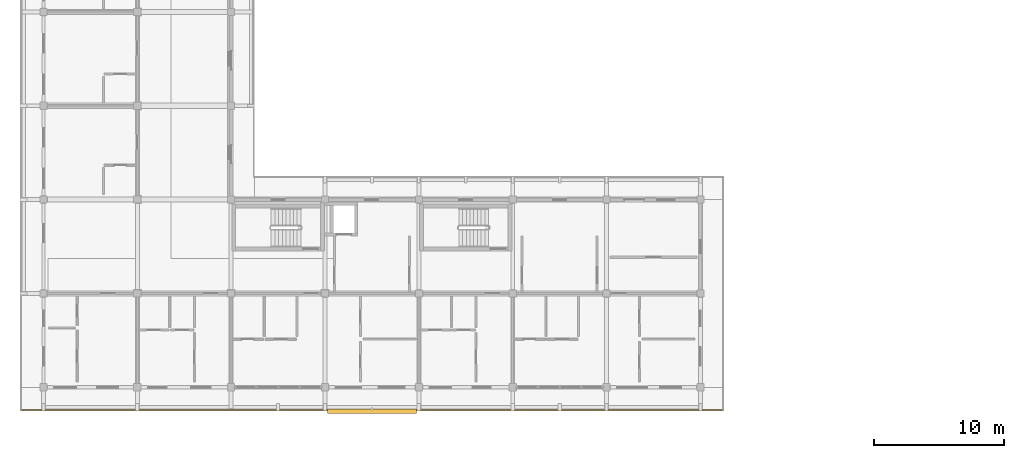
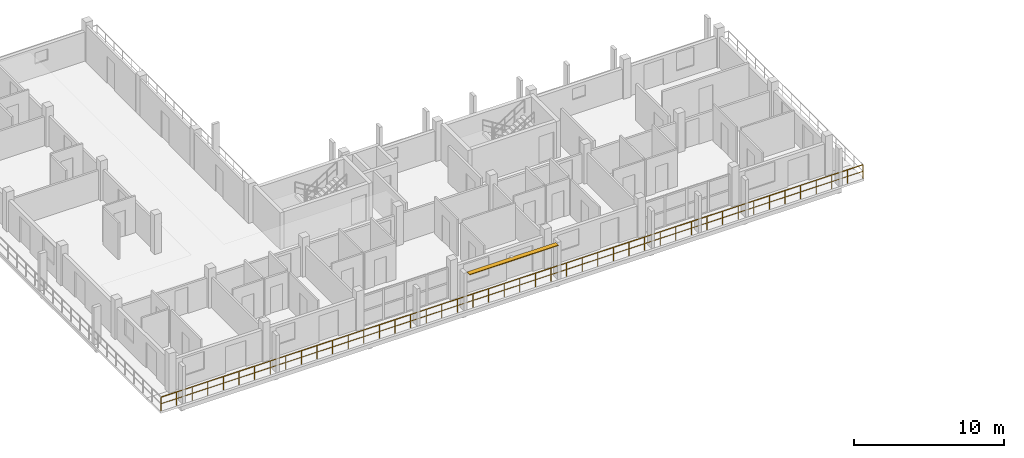
# One storey, part 59 of 73: 1 railing, 1 shading device.
"""IFC4 building model written with IfcOpenShell, lengths in metres."""

import ifcopenshell
import ifcopenshell.guid

model = None  # the IFC model being written
_history = None  # IfcOwnerHistory: only IFC2X3 demands one
_inside = {}  # id of a spatial element -> (the spatial element, [elements in it])
_under = {}  # id of a project, library or spatial element -> (it, [spatial elements below it])
_declared = {}  # id of a project -> (the project, [libraries it declares])
_typed = {}  # id of a type object -> (the type object, [elements of that type])
_made_of = {}  # id of a material, layer set ... -> (it, [elements and type objects made of it])


def new_model(schema):
    """Start an empty IFC model of exactly this schema.

    Asked for "IFC4X3", IfcOpenShell would pick the latest addendum, in which some entities
    have other attributes; the version numbers below select the first issue.
    IFC2X3 requires an IfcOwnerHistory on every rooted entity: one is made here for all.
    """
    global model, _history
    if schema == "IFC4X3":
        model = ifcopenshell.file(schema_version=(4, 3, 0, 0))
    else:
        model = ifcopenshell.file(schema=schema)
    _inside.clear()
    _under.clear()
    _declared.clear()
    _typed.clear()
    _made_of.clear()
    _history = None
    if model.schema == "IFC2X3":
        org = make("IfcOrganization", Name="unknown")
        user = make(
            "IfcPersonAndOrganization",
            ThePerson=make("IfcPerson", FamilyName="unknown"),
            TheOrganization=org,
        )
        app = make(
            "IfcApplication",
            ApplicationDeveloper=org,
            Version="unknown",
            ApplicationFullName="unknown",
            ApplicationIdentifier="unknown",
        )
        _history = make(
            "IfcOwnerHistory",
            OwningUser=user,
            OwningApplication=app,
            ChangeAction="ADDED",
            CreationDate=0,
        )
    return model


def make(cls, **values):
    """One entity of the class cls with the attributes given. An attribute that is None is left unset."""
    return model.create_entity(
        cls, **{name: value for name, value in values.items() if value is not None}
    )


def rooted(cls, **values):
    """An entity with a GlobalId (a new one), such as an element, a storey or a relation."""
    return make(cls, GlobalId=ifcopenshell.guid.new(), OwnerHistory=_history, **values)


def si_unit(unit_type, name, prefix=None):
    """IfcSIUnit, for example si_unit("LENGTHUNIT", "METRE", prefix="MILLI")."""
    return make("IfcSIUnit", UnitType=unit_type, Prefix=prefix, Name=name)


def assignment(units):
    """IfcUnitAssignment: the units of a project."""
    return None if units is None else make("IfcUnitAssignment", Units=units)


def point(xyz):
    """IfcCartesianPoint."""
    return None if xyz is None else make("IfcCartesianPoint", Coordinates=xyz)


def direction(xyz):
    """IfcDirection."""
    return None if xyz is None else make("IfcDirection", DirectionRatios=xyz)


def frame(location, z_axis=None, x_axis=None):
    """IfcAxis2Placement3D, a coordinate frame: its origin and axes. An axis left out is left unset."""
    return make(
        "IfcAxis2Placement3D",
        Location=point(location),
        Axis=direction(z_axis),
        RefDirection=direction(x_axis),
    )


def frame_2d(location, x_axis=None):
    """IfcAxis2Placement2D, a coordinate frame in the plane: its origin and x axis."""
    return make(
        "IfcAxis2Placement2D", Location=point(location), RefDirection=direction(x_axis)
    )


def origin():
    """The frame at (0, 0, 0) with its axes left unset."""
    return frame((0.0, 0.0, 0.0))


def origin_2d():
    """The frame at (0, 0) in the plane with its x axis left unset."""
    return frame_2d((0.0, 0.0))


def place(relative_to, where):
    """IfcLocalPlacement: puts the frame where relative to a parent placement (None: the world)."""
    return make(
        "IfcLocalPlacement", PlacementRelTo=relative_to, RelativePlacement=where
    )


def context(
    kind, dimensions, precision=None, world=None, true_north=None, identifier=None
):
    """IfcGeometricRepresentationContext, for example the 3D "Model" context."""
    return make(
        "IfcGeometricRepresentationContext",
        ContextIdentifier=identifier,
        ContextType=kind,
        CoordinateSpaceDimension=dimensions,
        Precision=precision,
        WorldCoordinateSystem=world,
        TrueNorth=true_north,
    )


def subcontext(parent, identifier, kind, view, scale=None):
    """IfcGeometricRepresentationSubContext, for example "Body" below "Model"."""
    return make(
        "IfcGeometricRepresentationSubContext",
        ContextIdentifier=identifier,
        ContextType=kind,
        ParentContext=parent,
        TargetScale=scale,
        TargetView=view,
    )


def project(units=None, contexts=None):
    """IfcProject with its units and contexts."""
    return rooted(
        "IfcProject",
        Name="project",
        RepresentationContexts=contexts,
        UnitsInContext=assignment(units),
    )


def spatial(cls, under=None, at=None, **own):
    """A site, building, storey or space (cls), placed at a placement, below another one or the project."""
    s = rooted(cls, ObjectPlacement=at, **own)
    if under is not None:
        _under.setdefault(under.id(), (under, []))[1].append(s)
    return s


def profile(cls, at=None, kind="AREA", **sizes):
    """A parametric profile (cls). Its sizes go by their IFC names, for example OverallWidth=200.0."""
    return make(cls, ProfileType=kind, Position=at, **sizes)


def rectangle(**sizes):
    """IfcRectangleProfileDef."""
    return profile("IfcRectangleProfileDef", **sizes)


def extrude(swept, where, along, depth):
    """IfcExtrudedAreaSolid: the profile swept, set in the frame where, extruded along a direction by depth."""
    return make(
        "IfcExtrudedAreaSolid",
        SweptArea=swept,
        Position=where,
        ExtrudedDirection=direction(along),
        Depth=depth,
    )


def shape(context_of_items, identifier, shape_type, items):
    """IfcShapeRepresentation: the items that make up one representation, for example the "Body"."""
    return make(
        "IfcShapeRepresentation",
        ContextOfItems=context_of_items,
        RepresentationIdentifier=identifier,
        RepresentationType=shape_type,
        Items=items,
    )


def material(Name=None, Category=None):
    """IfcMaterial."""
    return make("IfcMaterial", Name=Name, Category=Category)


def made_of(thing, what):
    """Note that an element or type object is made of a material, layer set ...; save() writes the relation."""
    if what is not None:
        _made_of.setdefault(what.id(), (what, []))[1].append(thing)
    return thing


def type_object(cls, material=None, **own):
    """A type object (cls), such as IfcWallType, which elements share."""
    return made_of(rooted(cls, **own), material)


def element(
    cls,
    number,
    at=None,
    inside=None,
    cuts=None,
    type_object=None,
    material=None,
    context=None,
    identifier="Body",
    shape_type=None,
    held_by="IfcProductDefinitionShape",
    body=None,
    shapes=None,
    **own,
):
    """One element of the class cls, such as IfcWall. Its Tag is "e" and its number.

    at: its placement. inside: the storey or other place that contains it. cuts: it is an
    opening in that element (IfcRelVoidsElement). A single representation is given by context,
    identifier, shape_type and body (its items); several are given by shapes. held_by: the class
    of the entity that holds the representations. save() writes the other relations.
    """
    e = rooted(cls, Tag="e%d" % number, ObjectPlacement=at, **own)
    if body is not None:
        shapes = [shape(context, identifier, shape_type, body)]
    if shapes is not None:
        e.Representation = make(held_by, Representations=shapes)
    if inside is not None:
        _inside.setdefault(inside.id(), (inside, []))[1].append(e)
    if cuts is not None:
        rooted(
            "IfcRelVoidsElement", RelatingBuildingElement=cuts, RelatedOpeningElement=e
        )
    if type_object is not None:
        _typed.setdefault(type_object.id(), (type_object, []))[1].append(e)
    return made_of(e, material)


def aggregate(whole, parts):
    """IfcRelAggregates: a whole, such as a stair, and the parts it consists of."""
    return rooted("IfcRelAggregates", RelatingObject=whole, RelatedObjects=parts)


def save(model, path):
    """Write the relations noted so far, then the file.

    IfcRelAggregates (storeys below a building ...), IfcRelContainedInSpatialStructure (elements
    in a storey), IfcRelDefinesByType, IfcRelAssociatesMaterial and IfcRelDeclares: one each for
    every whole, place, type object, material and project.
    """
    for whole, parts in _under.values():
        aggregate(whole, parts)
    for where, things in _inside.values():
        rooted(
            "IfcRelContainedInSpatialStructure",
            RelatedElements=things,
            RelatingStructure=where,
        )
    for kind, things in _typed.values():
        rooted("IfcRelDefinesByType", RelatedObjects=things, RelatingType=kind)
    for what, things in _made_of.values():
        rooted("IfcRelAssociatesMaterial", RelatedObjects=things, RelatingMaterial=what)
    for by, libraries in _declared.values():
        rooted("IfcRelDeclares", RelatingContext=by, RelatedDefinitions=libraries)
    model.write(path)


model = new_model("IFC4")

# Units and contexts
model_context = context("Model", 3, precision=1e-05, world=origin(), true_north=direction((0.0, 1.0)))
body_context = subcontext(model_context, "Body", "Model", "MODEL_VIEW")
ifc_project = project(units=[si_unit("LENGTHUNIT", "METRE"), si_unit("AREAUNIT", "SQUARE_METRE"), si_unit("VOLUMEUNIT", "CUBIC_METRE"), si_unit("PLANEANGLEUNIT", "RADIAN"), si_unit("MASSUNIT", "GRAM", prefix="KILO")], contexts=[model_context])

# Site, building, storey
site_placement = place(None, origin())
site = spatial("IfcSite", under=ifc_project, at=site_placement, CompositionType="ELEMENT")
building_placement = place(site_placement, origin())
building = spatial("IfcBuilding", under=site, at=building_placement, Name="Suanplinth Sawtooth Commons", CompositionType="ELEMENT")
storey_placement = place(building_placement, frame((0.0, 0.0, 21.89990234375)))
storey = spatial("IfcBuildingStorey", under=building, at=storey_placement, Name="L06", CompositionType="ELEMENT", Elevation=21.89990234375)

# Railing
ifc_material_1 = material(Name="Powder-coated galvanized steel", Category="steel")
railing_type = type_object("IfcRailingType", Name="GR-01", PredefinedType="BALUSTRADE", material=ifc_material_1)
railing_placement = place(storey_placement, frame((52.139892578125, -1.739990234375, 0.0)))
element("IfcRailing", 1, at=railing_placement, inside=storey, type_object=railing_type, Name="L06 Block D Perimeter Balustrade 6", PredefinedType="BALUSTRADE", context=body_context, shape_type="SweptSolid", body=[
    extrude(rectangle(XDim=0.048095703125, YDim=0.048095703125, at=origin_2d()), frame((0.0, 0.0, 1.09619140625), z_axis=(-1.0, 0.0, 0.0), x_axis=(0.0, -1.0, 0.0)), (0.0, 0.0, 1.0), 53.8798828125),
    extrude(rectangle(XDim=0.03369140625, YDim=0.03369140625, at=origin_2d()), frame((0.0, 0.0, 0.56005859375), z_axis=(-1.0, 0.0, 0.0), x_axis=(0.0, -1.0, 0.0)), (0.0, 0.0, 1.0), 53.8798828125),
    extrude(rectangle(XDim=0.0419921875, YDim=0.0419921875, at=origin_2d()), origin(), (0.0, 0.0, 1.0), 1.072021484375),
    extrude(rectangle(XDim=0.0419921875, YDim=0.0419921875, at=origin_2d()), frame((-1.197265625, 0.0, 0.0)), (0.0, 0.0, 1.0), 1.072021484375),
    extrude(rectangle(XDim=0.0419921875, YDim=0.0419921875, at=origin_2d()), frame((-2.394775390625, 0.0, 0.0)), (0.0, 0.0, 1.0), 1.072021484375),
    extrude(rectangle(XDim=0.0419921875, YDim=0.0419921875, at=origin_2d()), frame((-3.592041015625, 0.0, 0.0)), (0.0, 0.0, 1.0), 1.072021484375),
    extrude(rectangle(XDim=0.0419921875, YDim=0.0419921875, at=origin_2d()), frame((-4.789306640625, 0.0, 0.0)), (0.0, 0.0, 1.0), 1.072021484375),
    extrude(rectangle(XDim=0.0419921875, YDim=0.0419921875, at=origin_2d()), frame((-5.986572265625, 0.0, 0.0)), (0.0, 0.0, 1.0), 1.072021484375),
    extrude(rectangle(XDim=0.0419921875, YDim=0.0419921875, at=origin_2d()), frame((-7.18408203125, 0.0, 0.0)), (0.0, 0.0, 1.0), 1.072021484375),
    extrude(rectangle(XDim=0.0419921875, YDim=0.0419921875, at=origin_2d()), frame((-8.38134765625, 0.0, 0.0)), (0.0, 0.0, 1.0), 1.072021484375),
    extrude(rectangle(XDim=0.0419921875, YDim=0.0419921875, at=origin_2d()), frame((-9.57861328125, 0.0, 0.0)), (0.0, 0.0, 1.0), 1.072021484375),
    extrude(rectangle(XDim=0.0419921875, YDim=0.0419921875, at=origin_2d()), frame((-10.77587890625, 0.0, 0.0)), (0.0, 0.0, 1.0), 1.072021484375),
    extrude(rectangle(XDim=0.0419921875, YDim=0.0419921875, at=origin_2d()), frame((-11.973388671875, 0.0, 0.0)), (0.0, 0.0, 1.0), 1.072021484375),
    extrude(rectangle(XDim=0.0419921875, YDim=0.0419921875, at=origin_2d()), frame((-13.170654296875, 0.0, 0.0)), (0.0, 0.0, 1.0), 1.072021484375),
    extrude(rectangle(XDim=0.0419921875, YDim=0.0419921875, at=origin_2d()), frame((-14.367919921875, 0.0, 0.0)), (0.0, 0.0, 1.0), 1.072021484375),
    extrude(rectangle(XDim=0.0419921875, YDim=0.0419921875, at=origin_2d()), frame((-15.565185546875, 0.0, 0.0)), (0.0, 0.0, 1.0), 1.072021484375),
    extrude(rectangle(XDim=0.0419921875, YDim=0.0419921875, at=origin_2d()), frame((-16.7626953125, 0.0, 0.0)), (0.0, 0.0, 1.0), 1.072021484375),
    extrude(rectangle(XDim=0.0419921875, YDim=0.0419921875, at=origin_2d()), frame((-17.9599609375, 0.0, 0.0)), (0.0, 0.0, 1.0), 1.072021484375),
    extrude(rectangle(XDim=0.0419921875, YDim=0.0419921875, at=origin_2d()), frame((-19.1572265625, 0.0, 0.0)), (0.0, 0.0, 1.0), 1.072021484375),
    extrude(rectangle(XDim=0.0419921875, YDim=0.0419921875, at=origin_2d()), frame((-20.354736328125, 0.0, 0.0)), (0.0, 0.0, 1.0), 1.072021484375),
    extrude(rectangle(XDim=0.0419921875, YDim=0.0419921875, at=origin_2d()), frame((-21.552001953125, 0.0, 0.0)), (0.0, 0.0, 1.0), 1.072021484375),
    extrude(rectangle(XDim=0.0419921875, YDim=0.0419921875, at=origin_2d()), frame((-22.749267578125, 0.0, 0.0)), (0.0, 0.0, 1.0), 1.072021484375),
    extrude(rectangle(XDim=0.0419921875, YDim=0.0419921875, at=origin_2d()), frame((-23.946533203125, 0.0, 0.0)), (0.0, 0.0, 1.0), 1.072021484375),
    extrude(rectangle(XDim=0.0419921875, YDim=0.0419921875, at=origin_2d()), frame((-25.14404296875, 0.0, 0.0)), (0.0, 0.0, 1.0), 1.072021484375),
    extrude(rectangle(XDim=0.0419921875, YDim=0.0419921875, at=origin_2d()), frame((-26.34130859375, 0.0, 0.0)), (0.0, 0.0, 1.0), 1.072021484375),
    extrude(rectangle(XDim=0.0419921875, YDim=0.0419921875, at=origin_2d()), frame((-27.53857421875, 0.0, 0.0)), (0.0, 0.0, 1.0), 1.072021484375),
    extrude(rectangle(XDim=0.0419921875, YDim=0.0419921875, at=origin_2d()), frame((-28.73583984375, 0.0, 0.0)), (0.0, 0.0, 1.0), 1.072021484375),
    extrude(rectangle(XDim=0.0419921875, YDim=0.0419921875, at=origin_2d()), frame((-29.933349609375, 0.0, 0.0)), (0.0, 0.0, 1.0), 1.072021484375),
    extrude(rectangle(XDim=0.0419921875, YDim=0.0419921875, at=origin_2d()), frame((-31.130615234375, 0.0, 0.0)), (0.0, 0.0, 1.0), 1.072021484375),
    extrude(rectangle(XDim=0.0419921875, YDim=0.0419921875, at=origin_2d()), frame((-32.327880859375, 0.0, 0.0)), (0.0, 0.0, 1.0), 1.072021484375),
    extrude(rectangle(XDim=0.0419921875, YDim=0.0419921875, at=origin_2d()), frame((-33.525146484375, 0.0, 0.0)), (0.0, 0.0, 1.0), 1.072021484375),
    extrude(rectangle(XDim=0.0419921875, YDim=0.0419921875, at=origin_2d()), frame((-34.72265625, 0.0, 0.0)), (0.0, 0.0, 1.0), 1.072021484375),
    extrude(rectangle(XDim=0.0419921875, YDim=0.0419921875, at=origin_2d()), frame((-35.919921875, 0.0, 0.0)), (0.0, 0.0, 1.0), 1.072021484375),
    extrude(rectangle(XDim=0.0419921875, YDim=0.0419921875, at=origin_2d()), frame((-37.1171875, 0.0, 0.0)), (0.0, 0.0, 1.0), 1.072021484375),
    extrude(rectangle(XDim=0.0419921875, YDim=0.0419921875, at=origin_2d()), frame((-38.314697265625, 0.0, 0.0)), (0.0, 0.0, 1.0), 1.072021484375),
    extrude(rectangle(XDim=0.0419921875, YDim=0.0419921875, at=origin_2d()), frame((-39.511962890625, 0.0, 0.0)), (0.0, 0.0, 1.0), 1.072021484375),
    extrude(rectangle(XDim=0.0419921875, YDim=0.0419921875, at=origin_2d()), frame((-40.709228515625, 0.0, 0.0)), (0.0, 0.0, 1.0), 1.072021484375),
    extrude(rectangle(XDim=0.0419921875, YDim=0.0419921875, at=origin_2d()), frame((-41.906494140625, 0.0, 0.0)), (0.0, 0.0, 1.0), 1.072021484375),
    extrude(rectangle(XDim=0.0419921875, YDim=0.0419921875, at=origin_2d()), frame((-43.10400390625, 0.0, 0.0)), (0.0, 0.0, 1.0), 1.072021484375),
    extrude(rectangle(XDim=0.0419921875, YDim=0.0419921875, at=origin_2d()), frame((-44.30126953125, 0.0, 0.0)), (0.0, 0.0, 1.0), 1.072021484375),
    extrude(rectangle(XDim=0.0419921875, YDim=0.0419921875, at=origin_2d()), frame((-45.49853515625, 0.0, 0.0)), (0.0, 0.0, 1.0), 1.072021484375),
    extrude(rectangle(XDim=0.0419921875, YDim=0.0419921875, at=origin_2d()), frame((-46.69580078125, 0.0, 0.0)), (0.0, 0.0, 1.0), 1.072021484375),
    extrude(rectangle(XDim=0.0419921875, YDim=0.0419921875, at=origin_2d()), frame((-47.893310546875, 0.0, 0.0)), (0.0, 0.0, 1.0), 1.072021484375),
    extrude(rectangle(XDim=0.0419921875, YDim=0.0419921875, at=origin_2d()), frame((-49.090576171875, 0.0, 0.0)), (0.0, 0.0, 1.0), 1.072021484375),
    extrude(rectangle(XDim=0.0419921875, YDim=0.0419921875, at=origin_2d()), frame((-50.287841796875, 0.0, 0.0)), (0.0, 0.0, 1.0), 1.072021484375),
    extrude(rectangle(XDim=0.0419921875, YDim=0.0419921875, at=origin_2d()), frame((-51.485107421875, 0.0, 0.0)), (0.0, 0.0, 1.0), 1.072021484375),
    extrude(rectangle(XDim=0.0419921875, YDim=0.0419921875, at=origin_2d()), frame((-52.6826171875, 0.0, 0.0)), (0.0, 0.0, 1.0), 1.072021484375),
    extrude(rectangle(XDim=0.0419921875, YDim=0.0419921875, at=origin_2d()), frame((-53.8798828125, 0.0, 0.0)), (0.0, 0.0, 1.0), 1.072021484375),
])

# Shading device
ifc_material_2 = material(Name="Anodized aluminium 6063-T6", Category="aluminium")
shading_device_type = type_object("IfcShadingDeviceType", Name="SHD-01", PredefinedType="JALOUSIE", material=ifc_material_2)
shading_device_placement = place(storey_placement, frame((25.199951171875, -1.840087890625, 2.920166015625), z_axis=(0.0, 0.0, 1.0), x_axis=(1.0, 0.0, 0.0)))
element("IfcShadingDevice", 2, at=shading_device_placement, inside=storey, type_object=shading_device_type, Name="Monsoon Louvre L06-D-1", PredefinedType="JALOUSIE", context=body_context, shape_type="SweptSolid", body=[
    extrude(rectangle(XDim=6.800048828125, YDim=0.35009765625, at=origin_2d()), origin(), (0.0, 0.0, 1.0), 0.06005859375),
])

save(model, "model.ifc")
